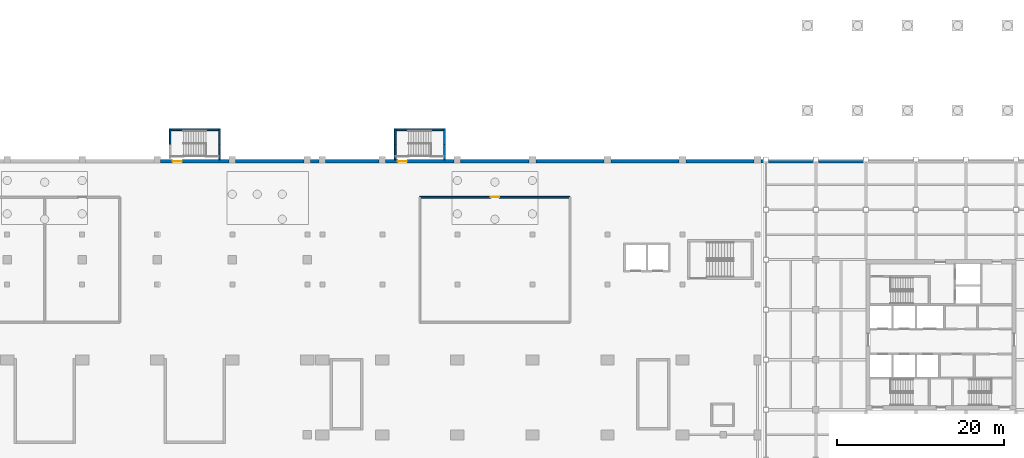
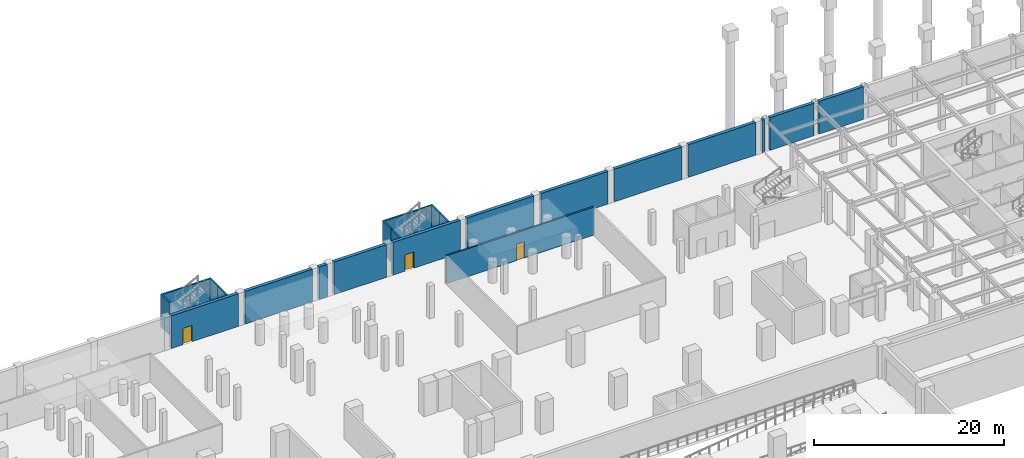
# One storey, part 19 of 27: 22 walls, 3 doors, 3 openings.
"""IFC4 building model written with IfcOpenShell, lengths in metres."""

from ifc_helpers import new_model, si_unit, direction, frame, frame_2d, origin, place, context, subcontext, project, spatial, rectangle, extrude, material, layer, layer_set, type_object, element, fill, save


model = new_model("IFC4")

# Units and contexts
model_context = context("Model", 3, precision=1e-05, world=origin(), true_north=direction((0.0, 1.0)))
body_context = subcontext(model_context, "Body", "Model", "MODEL_VIEW")
ifc_project = project(units=[si_unit("LENGTHUNIT", "METRE"), si_unit("AREAUNIT", "SQUARE_METRE"), si_unit("VOLUMEUNIT", "CUBIC_METRE"), si_unit("PLANEANGLEUNIT", "RADIAN"), si_unit("MASSUNIT", "GRAM", prefix="KILO")], contexts=[model_context])

# Site, building, storey
site_placement = place(None, origin())
site = spatial("IfcSite", under=ifc_project, at=site_placement, CompositionType="ELEMENT")
building_placement = place(site_placement, origin())
building = spatial("IfcBuilding", under=site, at=building_placement, Name="Aravalli Gate Trade Fair Centre", CompositionType="ELEMENT")
storey_placement = place(building_placement, frame((0.0, 0.0, -4.199951171875)))
storey = spatial("IfcBuildingStorey", under=building, at=storey_placement, Name="B1", CompositionType="ELEMENT", Elevation=-4.199951171875)

# Wall
ifc_material_1 = material(Name="Compressible joint filler")
ifc_layer_1 = layer(ifc_material_1, 0.169921875, Name="Joint filler, soil side")
ifc_material_2 = material(Name="PVC waterstop")
ifc_layer_2 = layer(ifc_material_2, 0.06005859375, Name="PVC waterstop, centre bulb")
ifc_layer_3 = layer(ifc_material_1, 0.169921875, Name="Joint filler, inner face")
ifc_layer_set_1 = layer_set([ifc_layer_1, ifc_layer_2, ifc_layer_3], Name="Basement joint filler wall 400")
wall_type_1 = type_object("IfcWallType", Name="Basement joint filler wall 400", PredefinedType="SOLIDWALL", material=ifc_layer_set_1)
wall_1_placement = place(storey_placement, frame((159.39990234375, 132.800048828125, 0.0), z_axis=(0.0, 0.0, 1.0), x_axis=(1.0, 0.0, 0.0)))
element("IfcWall", 1, at=wall_1_placement, inside=storey, type_object=wall_type_1, Name="Joint filler wall N B1", PredefinedType="SOLIDWALL", context=body_context, shape_type="SweptSolid", body=[
    extrude(rectangle(XDim=0.300048828125, YDim=0.39990234375, at=frame_2d((0.14990234375, 0.0))), origin(), (0.0, 0.0, 1.0), 4.199951171875),
])

# Wall, opening, door
ifc_material_3 = material(Name="Concrete M30", Category="concrete")
ifc_layer_4 = layer(ifc_material_3, 0.199951171875)
ifc_layer_set_2 = layer_set([ifc_layer_4], Name="Concrete M30")
wall_type_2 = type_object("IfcWallType", Name="Basement plant room wall 200", PredefinedType="SOLIDWALL", material=ifc_layer_set_2)
wall_2_placement = place(storey_placement, frame((118.5, 128.5, 0.0), z_axis=(0.0, 0.0, 1.0), x_axis=(1.0, 0.0, 0.0)))
wall_2 = element("IfcWall", 2, at=wall_2_placement, inside=storey, type_object=wall_type_2, Name="Basement plant room wall B1 08.1", PredefinedType="SOLIDWALL", context=body_context, shape_type="SweptSolid", body=[
    extrude(rectangle(XDim=18.0, YDim=0.199951171875, at=frame_2d((9.0, 0.0))), origin(), (0.0, 0.0, 1.0), 3.599853515625),
])
opening_1_placement = place(wall_2_placement, frame((8.5, 0.0, 0.0)))
opening_1 = element("IfcOpeningElement", 3, at=opening_1_placement, cuts=wall_2, Name="Opening B-B1-18", PredefinedType="OPENING", context=body_context, shape_type="SweptSolid", body=[
    extrude(rectangle(XDim=1.0, YDim=2.10009765625, at=frame_2d((0.5, 1.050048828125))), frame((0.0, 0.10986328125, 0.0), z_axis=(0.0, -1.0, 0.0), x_axis=(1.0, 0.0, 0.0)), (0.0, 0.0, 1.0), 0.219970703125),
])
ifc_material_4 = material(Name="Steel", Category="steel")
door_type_1 = type_object("IfcDoorType", Name="Basement plant door 1000x2100", OperationType="SINGLE_SWING_LEFT", PredefinedType="DOOR", material=ifc_material_4)
door_1_placement = place(opening_1_placement, frame((1.0, 0.0, 0.0), z_axis=(0.0, 0.0, 1.0), x_axis=(-1.0, 0.0, 0.0)))
door_1 = element("IfcDoor", 4, at=door_1_placement, inside=storey, type_object=door_type_1, Name="Door vent B1", OperationType="SINGLE_SWING_LEFT", OverallHeight=2.10009765625, OverallWidth=1.0, PredefinedType="DOOR", context=body_context, shape_type="SweptSolid", body=[
    extrude(rectangle(XDim=1.0, YDim=2.10009765625, at=frame_2d((0.5, 1.050048828125))), frame((0.0, 0.02490234375, 0.0), z_axis=(0.0, -1.0, 0.0), x_axis=(1.0, 0.0, 0.0)), (0.0, 0.0, 1.0), 0.050048828125),
])
fill(opening_1, door_1)

ifc_material_5 = material(Name="Concrete M40", Category="concrete")
ifc_layer_5 = layer(ifc_material_5, 0.39990234375)
ifc_layer_set_3 = layer_set([ifc_layer_5], Name="Concrete M40")
wall_type_3 = type_object("IfcWallType", Name="Basement retaining wall 400", PredefinedType="SOLIDWALL", material=ifc_layer_set_3)
wall_3_placement = place(storey_placement, frame((87.39990234375, 132.800048828125, 0.0), z_axis=(0.0, 0.0, 1.0), x_axis=(1.0, 0.0, 0.0)))
wall_3 = element("IfcWall", 5, at=wall_3_placement, inside=storey, type_object=wall_type_3, Name="Retaining wall N10 B1", PredefinedType="SOLIDWALL", context=body_context, shape_type="SweptSolid", body=[
    extrude(rectangle(XDim=8.2001953125, YDim=0.39990234375, at=frame_2d((4.10009765625, 0.0))), origin(), (0.0, 0.0, 1.0), 4.199951171875),
])
opening_2_placement = place(wall_3_placement, frame((1.449951171875, 0.0, 0.0)))
opening_2 = element("IfcOpeningElement", 6, at=opening_2_placement, cuts=wall_3, Name="Opening B-B1-06", PredefinedType="OPENING", context=body_context, shape_type="SweptSolid", body=[
    extrude(rectangle(XDim=1.10009765625, YDim=2.10009765625, at=frame_2d((0.550048828125, 1.050048828125))), frame((0.0, 0.2099609375, 0.0), z_axis=(0.0, -1.0, 0.0), x_axis=(1.0, 0.0, 0.0)), (0.0, 0.0, 1.0), 0.419921875),
])
door_type_2 = type_object("IfcDoorType", Name="Basement stair door 1100x2100", OperationType="SINGLE_SWING_LEFT", PredefinedType="DOOR", material=ifc_material_4)
door_2_placement = place(opening_2_placement, origin())
door_2 = element("IfcDoor", 7, at=door_2_placement, inside=storey, type_object=door_type_2, Name="Basement stair N3 door B1", OperationType="SINGLE_SWING_LEFT", OverallHeight=2.10009765625, OverallWidth=1.10009765625, PredefinedType="DOOR", context=body_context, shape_type="SweptSolid", body=[
    extrude(rectangle(XDim=1.10009765625, YDim=2.10009765625, at=frame_2d((0.550048828125, 1.050048828125))), frame((0.0, 0.02490234375, 0.0), z_axis=(0.0, -1.0, 0.0), x_axis=(1.0, 0.0, 0.0)), (0.0, 0.0, 1.0), 0.050048828125),
])
fill(opening_2, door_2)

# Walls
wall_4_placement = place(storey_placement, frame((96.39990234375, 132.800048828125, 0.0), z_axis=(0.0, 0.0, 1.0), x_axis=(1.0, 0.0, 0.0)))
element("IfcWall", 8, at=wall_4_placement, inside=storey, type_object=wall_type_3, Name="Retaining wall N11 B1", PredefinedType="SOLIDWALL", context=body_context, shape_type="SweptSolid", body=[
    extrude(rectangle(XDim=8.2001953125, YDim=0.39990234375, at=frame_2d((4.10009765625, 0.0))), origin(), (0.0, 0.0, 1.0), 4.199951171875),
])
wall_5_placement = place(storey_placement, frame((105.39990234375, 132.800048828125, 0.0), z_axis=(0.0, 0.0, 1.0), x_axis=(1.0, 0.0, 0.0)))
element("IfcWall", 9, at=wall_5_placement, inside=storey, type_object=wall_type_3, Name="Retaining wall N12 B1", PredefinedType="SOLIDWALL", context=body_context, shape_type="SweptSolid", body=[
    extrude(rectangle(XDim=1.0, YDim=0.39990234375, at=frame_2d((0.5, 0.0))), origin(), (0.0, 0.0, 1.0), 4.199951171875),
])
wall_6_placement = place(storey_placement, frame((107.199951171875, 132.800048828125, 0.0), z_axis=(0.0, 0.0, 1.0), x_axis=(1.0, 0.0, 0.0)))
element("IfcWall", 10, at=wall_6_placement, inside=storey, type_object=wall_type_3, Name="Retaining wall N13 B1", PredefinedType="SOLIDWALL", context=body_context, shape_type="SweptSolid", body=[
    extrude(rectangle(XDim=6.400146484375, YDim=0.39990234375, at=frame_2d((3.2001953125, 0.0))), origin(), (0.0, 0.0, 1.0), 4.199951171875),
])

# Wall, opening, door
wall_7_placement = place(storey_placement, frame((114.39990234375, 132.800048828125, 0.0), z_axis=(0.0, 0.0, 1.0), x_axis=(1.0, 0.0, 0.0)))
wall_7 = element("IfcWall", 11, at=wall_7_placement, inside=storey, type_object=wall_type_3, Name="Retaining wall N14 B1", PredefinedType="SOLIDWALL", context=body_context, shape_type="SweptSolid", body=[
    extrude(rectangle(XDim=8.2001953125, YDim=0.39990234375, at=frame_2d((4.10009765625, 0.0))), origin(), (0.0, 0.0, 1.0), 4.199951171875),
])
opening_3_placement = place(wall_7_placement, frame((1.449951171875, 0.0, 0.0)))
opening_3 = element("IfcOpeningElement", 12, at=opening_3_placement, cuts=wall_7, Name="Opening B-B1-07", PredefinedType="OPENING", context=body_context, shape_type="SweptSolid", body=[
    extrude(rectangle(XDim=1.10009765625, YDim=2.10009765625, at=frame_2d((0.550048828125, 1.050048828125))), frame((0.0, 0.2099609375, 0.0), z_axis=(0.0, -1.0, 0.0), x_axis=(1.0, 0.0, 0.0)), (0.0, 0.0, 1.0), 0.419921875),
])
door_3_placement = place(opening_3_placement, origin())
door_3 = element("IfcDoor", 13, at=door_3_placement, inside=storey, type_object=door_type_2, Name="Basement stair N4 door B1", OperationType="SINGLE_SWING_LEFT", OverallHeight=2.10009765625, OverallWidth=1.10009765625, PredefinedType="DOOR", context=body_context, shape_type="SweptSolid", body=[
    extrude(rectangle(XDim=1.10009765625, YDim=2.10009765625, at=frame_2d((0.550048828125, 1.050048828125))), frame((0.0, 0.02490234375, 0.0), z_axis=(0.0, -1.0, 0.0), x_axis=(1.0, 0.0, 0.0)), (0.0, 0.0, 1.0), 0.050048828125),
])
fill(opening_3, door_3)

# Walls
for number, where, z_axis, x_axis, name in (
    (14, (123.39990234375, 132.800048828125, 0.0), (0.0, 0.0, 1.0), (1.0, 0.0, 0.0), "Retaining wall N15 B1"),
    (15, (132.39990234375, 132.800048828125, 0.0), (0.0, 0.0, 1.0), (1.0, 0.0, 0.0), "Retaining wall N16 B1"),
    (16, (141.39990234375, 132.800048828125, 0.0), (0.0, 0.0, 1.0), (1.0, 0.0, 0.0), "Retaining wall N17 B1"),
    (17, (150.39990234375, 132.800048828125, 0.0), (0.0, 0.0, 1.0), (1.0, 0.0, 0.0), "Retaining wall N18 B1"),
):
    element("IfcWall", number, at=place(storey_placement, frame(where, z_axis=z_axis, x_axis=x_axis)), inside=storey, type_object=wall_type_3, Name=name, PredefinedType="SOLIDWALL", context=body_context, shape_type="SweptSolid", body=[
        extrude(rectangle(XDim=8.2001953125, YDim=0.39990234375, at=frame_2d((4.10009765625, 0.0))), origin(), (0.0, 0.0, 1.0), 4.199951171875),
    ])
for number, where, z_axis, x_axis, name in (
    (18, (160.300048828125, 132.800048828125, 0.0), (0.0, 0.0, 1.0), (1.0, 0.0, 0.0), "Retaining wall N19 B1"),
    (19, (166.300048828125, 132.800048828125, 0.0), (0.0, 0.0, 1.0), (1.0, 0.0, 0.0), "Retaining wall N20 B1"),
):
    element("IfcWall", number, at=place(storey_placement, frame(where, z_axis=z_axis, x_axis=x_axis)), inside=storey, type_object=wall_type_3, Name=name, PredefinedType="SOLIDWALL", context=body_context, shape_type="SweptSolid", body=[
        extrude(rectangle(XDim=5.39990234375, YDim=0.39990234375, at=frame_2d((2.699951171875, 0.0))), origin(), (0.0, 0.0, 1.0), 4.199951171875),
    ])
ifc_material_6 = material(Name="Concrete M35", Category="concrete")
ifc_layer_6 = layer(ifc_material_6, 0.199951171875)
ifc_layer_set_4 = layer_set([ifc_layer_6], Name="Concrete M35")
wall_type_4 = type_object("IfcWallType", Name="Basement stair enclosure wall 200", PredefinedType="SOLIDWALL", material=ifc_layer_set_4)
wall_8_placement = place(storey_placement, frame((94.449951171875, 133.0, 0.0), z_axis=(0.0, 0.0, 1.0), x_axis=(0.0, 1.0, 0.0)))
element("IfcWall", 20, at=wall_8_placement, inside=storey, type_object=wall_type_4, Name="Basement stair N3 enclosure wall L1 B1", PredefinedType="SOLIDWALL", context=body_context, shape_type="SweptSolid", body=[
    extrude(rectangle(XDim=1.840087890625, YDim=0.199951171875, at=frame_2d((0.919921875, 0.0))), origin(), (0.0, 0.0, 1.0), 4.199951171875),
])
for number, where, z_axis, x_axis, name in (
    (21, (94.449951171875, 134.840087890625, 0.0), (0.0, 0.0, 1.0), (0.0, 1.0, 0.0), "Basement stair N3 enclosure wall L2 B1"),
    (22, (88.550048828125, 134.840087890625, 0.0), (0.0, 0.0, 1.0), (0.0, 1.0, 0.0), "Basement stair N3 enclosure wall R2 B1"),
):
    element("IfcWall", number, at=place(storey_placement, frame(where, z_axis=z_axis, x_axis=x_axis)), inside=storey, type_object=wall_type_4, Name=name, PredefinedType="SOLIDWALL", context=body_context, shape_type="SweptSolid", body=[
        extrude(rectangle(XDim=1.83984375, YDim=0.199951171875, at=frame_2d((0.919921875, 0.0))), origin(), (0.0, 0.0, 1.0), 4.199951171875),
    ])
wall_9_placement = place(storey_placement, frame((94.35009765625, 136.580078125, 0.0), z_axis=(0.0, 0.0, 1.0), x_axis=(-1.0, 0.0, 0.0)))
element("IfcWall", 23, at=wall_9_placement, inside=storey, type_object=wall_type_4, Name="Basement stair N3 enclosure wall O B1", PredefinedType="SOLIDWALL", context=body_context, shape_type="SweptSolid", body=[
    extrude(rectangle(XDim=5.7001953125, YDim=0.199951171875, at=frame_2d((2.85009765625, 0.0))), origin(), (0.0, 0.0, 1.0), 4.199951171875),
])
wall_10_placement = place(storey_placement, frame((121.449951171875, 133.0, 0.0), z_axis=(0.0, 0.0, 1.0), x_axis=(0.0, 1.0, 0.0)))
element("IfcWall", 24, at=wall_10_placement, inside=storey, type_object=wall_type_4, Name="Basement stair N4 enclosure wall L1 B1", PredefinedType="SOLIDWALL", context=body_context, shape_type="SweptSolid", body=[
    extrude(rectangle(XDim=1.840087890625, YDim=0.199951171875, at=frame_2d((0.919921875, 0.0))), origin(), (0.0, 0.0, 1.0), 4.199951171875),
])
wall_11_placement = place(storey_placement, frame((121.449951171875, 134.840087890625, 0.0), z_axis=(0.0, 0.0, 1.0), x_axis=(0.0, 1.0, 0.0)))
element("IfcWall", 25, at=wall_11_placement, inside=storey, type_object=wall_type_4, Name="Basement stair N4 enclosure wall L2 B1", PredefinedType="SOLIDWALL", context=body_context, shape_type="SweptSolid", body=[
    extrude(rectangle(XDim=1.83984375, YDim=0.199951171875, at=frame_2d((0.919921875, 0.0))), origin(), (0.0, 0.0, 1.0), 4.199951171875),
])
wall_12_placement = place(storey_placement, frame((115.550048828125, 133.0, 0.0), z_axis=(0.0, 0.0, 1.0), x_axis=(0.0, 1.0, 0.0)))
element("IfcWall", 26, at=wall_12_placement, inside=storey, type_object=wall_type_4, Name="Basement stair N4 enclosure wall R1 B1", PredefinedType="SOLIDWALL", context=body_context, shape_type="SweptSolid", body=[
    extrude(rectangle(XDim=1.840087890625, YDim=0.199951171875, at=frame_2d((0.919921875, 0.0))), origin(), (0.0, 0.0, 1.0), 4.199951171875),
])
wall_13_placement = place(storey_placement, frame((115.550048828125, 134.840087890625, 0.0), z_axis=(0.0, 0.0, 1.0), x_axis=(0.0, 1.0, 0.0)))
element("IfcWall", 27, at=wall_13_placement, inside=storey, type_object=wall_type_4, Name="Basement stair N4 enclosure wall R2 B1", PredefinedType="SOLIDWALL", context=body_context, shape_type="SweptSolid", body=[
    extrude(rectangle(XDim=1.83984375, YDim=0.199951171875, at=frame_2d((0.919921875, 0.0))), origin(), (0.0, 0.0, 1.0), 4.199951171875),
])
wall_14_placement = place(storey_placement, frame((121.35009765625, 136.580078125, 0.0), z_axis=(0.0, 0.0, 1.0), x_axis=(-1.0, 0.0, 0.0)))
element("IfcWall", 28, at=wall_14_placement, inside=storey, type_object=wall_type_4, Name="Basement stair N4 enclosure wall O B1", PredefinedType="SOLIDWALL", context=body_context, shape_type="SweptSolid", body=[
    extrude(rectangle(XDim=5.7001953125, YDim=0.199951171875, at=frame_2d((2.85009765625, 0.0))), origin(), (0.0, 0.0, 1.0), 4.199951171875),
])

save(model, "model.ifc")
